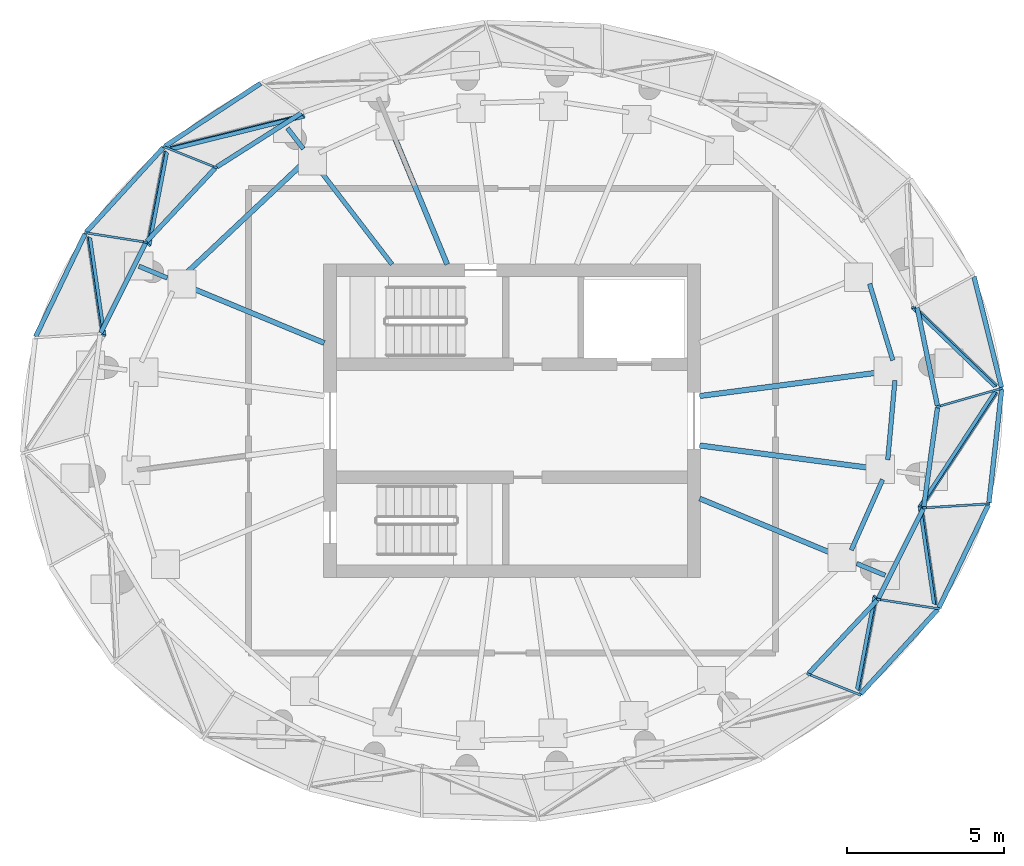
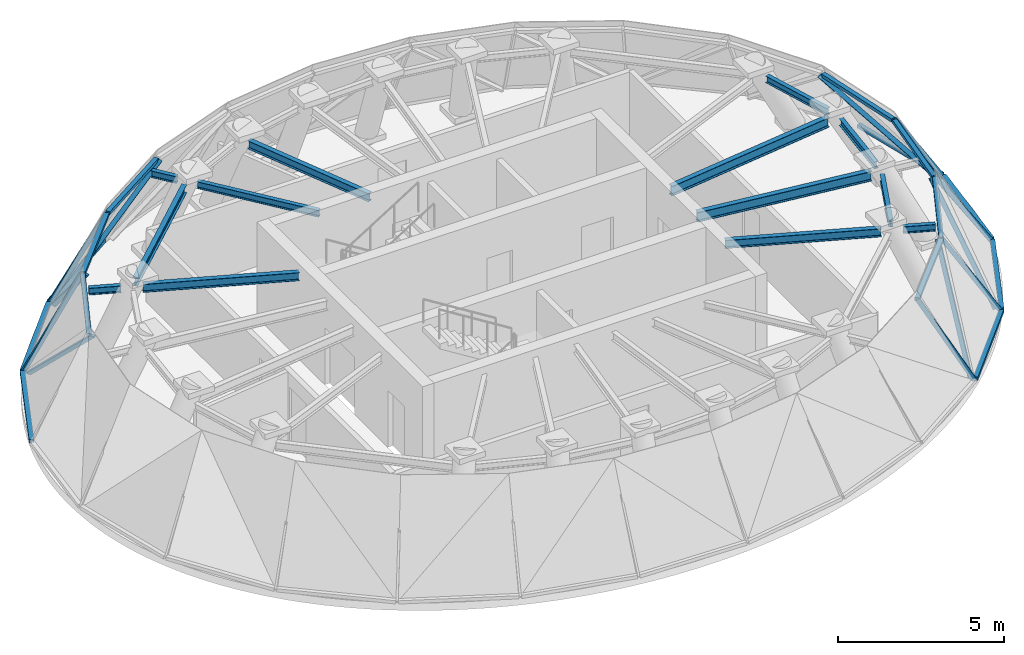
# One storey, part 3 of 8: 27 members, 13 beams, 14 elements without a shape of their own.
"""IFC4 building model written with IfcOpenShell, lengths in metres."""

from ifc_helpers import new_model, si_unit, direction, frame, origin, origin_2d, place, context, subcontext, project, spatial, rectangle, i_section, extrude, source, transform, mapped, material, layer, layer_set, material_profile, profile_set, type_object, element, aggregate, save


model = new_model("IFC4")

# Units and contexts
model_context = context("Model", 3, precision=1e-05, world=origin(), true_north=direction((0.0, 1.0)))
body_context = subcontext(model_context, "Body", "Model", "MODEL_VIEW")
ifc_project = project(units=[si_unit("LENGTHUNIT", "METRE"), si_unit("AREAUNIT", "SQUARE_METRE"), si_unit("VOLUMEUNIT", "CUBIC_METRE"), si_unit("PLANEANGLEUNIT", "RADIAN"), si_unit("MASSUNIT", "GRAM", prefix="KILO")], contexts=[model_context])

# Site, building, storey
site_placement = place(None, origin())
site = spatial("IfcSite", under=ifc_project, at=site_placement, CompositionType="ELEMENT")
building_placement = place(site_placement, origin())
building = spatial("IfcBuilding", under=site, at=building_placement, Name="Spindrift Exchange Tower", CompositionType="ELEMENT")
storey_placement = place(building_placement, frame((0.0, 0.0, 280.10009765625)))
storey = spatial("IfcBuildingStorey", under=building, at=storey_placement, Name="L69", CompositionType="ELEMENT", Elevation=280.10009765625)

# Beams
ifc_material_1 = material(Name="Steel Grade 300", Category="steel")
ifc_material_profile_1 = material_profile(ifc_material_1, i_section(OverallWidth=0.172119140625, OverallDepth=0.35888671875, WebThickness=0.008056640625, FlangeThickness=0.012939453125, FilletRadius=0.013916015625, at=origin_2d()), Name="360UB56.7")
ifc_profile_set_1 = profile_set([ifc_material_profile_1], Name="Steel Grade 300")
beam_type_1 = type_object("IfcBeamType", Name="Floor Beam 360UB56.7 Steel Grade 300", PredefinedType="BEAM", material=ifc_profile_set_1)
shared_shape_1 = source(origin(), body_context, "Body", "SweptSolid", [
    extrude(i_section(OverallWidth=0.172119140625, OverallDepth=0.35888671875, WebThickness=0.008056640625, FlangeThickness=0.012939453125, FilletRadius=0.013916015625, at=origin_2d()), origin(), (0.0, 0.0, 1.0), 5.97705078125),
])
beam_1_placement = place(storey_placement, frame((57.980224609375, 48.787353515625, 3.040283203125), z_axis=(0.991448038251, 0.130502059169, 0.0), x_axis=(-0.130502059169, 0.991448038251, 0.0)))
element("IfcBeam", 1, at=beam_1_placement, inside=storey, type_object=beam_type_1, Name="L69 radial beam R01A", PredefinedType="BEAM", context=body_context, shape_type="MappedRepresentation", body=[
    mapped(shared_shape_1, transform((0.0, 0.0, 0.0), scale=1.0)),
])
ifc_material_profile_2 = material_profile(ifc_material_1, i_section(OverallWidth=0.1650390625, OverallDepth=0.303955078125, WebThickness=0.006103515625, FlangeThickness=0.01025390625, FilletRadius=0.011474609375, at=origin_2d()), Name="310UB40.4")
ifc_profile_set_2 = profile_set([ifc_material_profile_2], Name="Steel Grade 300")
beam_type_2 = type_object("IfcBeamType", Name="Floor Beam 310UB40.4 Steel Grade 300", PredefinedType="BEAM", material=ifc_profile_set_2)
shared_shape_2 = source(origin(), body_context, "Body", "SweptSolid", [
    extrude(i_section(OverallWidth=0.1650390625, OverallDepth=0.303955078125, WebThickness=0.006103515625, FlangeThickness=0.01025390625, FilletRadius=0.011474609375, at=origin_2d()), origin(), (0.0, 0.0, 1.0), 4.599853515625),
])
beam_2_placement = place(storey_placement, frame((49.9365234375, 52.9814453125, 3.06787109375), z_axis=(-0.382673670509, 0.923883575944, 0.0), x_axis=(-0.923883575944, -0.382673670509, 0.0)))
element("IfcBeam", 2, at=beam_2_placement, inside=storey, type_object=beam_type_2, Name="L69 radial beam R08A", PredefinedType="BEAM", context=body_context, shape_type="MappedRepresentation", body=[
    mapped(shared_shape_2, transform((0.0, 0.0, 0.0), scale=1.0)),
])
ifc_material_profile_3 = material_profile(ifc_material_1, i_section(OverallWidth=0.14599609375, OverallDepth=0.251953125, WebThickness=0.006103515625, FlangeThickness=0.008544921875, FilletRadius=0.011962890625, at=origin_2d()), Name="250UB31.4")
ifc_profile_set_3 = profile_set([ifc_material_profile_3], Name="Steel Grade 300")
beam_type_3 = type_object("IfcBeamType", Name="Floor Beam 250UB31.4 Steel Grade 300", PredefinedType="BEAM", material=ifc_profile_set_3)
shared_shape_3 = source(origin(), body_context, "Body", "SweptSolid", [
    extrude(i_section(OverallWidth=0.14599609375, OverallDepth=0.251953125, WebThickness=0.006103515625, FlangeThickness=0.008544921875, FilletRadius=0.011962890625, at=origin_2d()), origin(), (0.0, 0.0, 1.0), 3.979736328125),
])
beam_3_placement = place(storey_placement, frame((48.175537109375, 52.984130859375, 3.093994140625), z_axis=(-0.608797236574, 0.793325862896, 0.0), x_axis=(-0.793325862896, -0.608797236574, 0.0)))
element("IfcBeam", 3, at=beam_3_placement, inside=storey, type_object=beam_type_3, Name="L69 radial beam R09A", PredefinedType="BEAM", context=body_context, shape_type="MappedRepresentation", body=[
    mapped(shared_shape_3, transform((0.0, 0.0, 0.0), scale=1.0)),
])
ifc_material_profile_4 = material_profile(ifc_material_1, i_section(OverallWidth=0.14599609375, OverallDepth=0.251953125, WebThickness=0.006103515625, FlangeThickness=0.008544921875, FilletRadius=0.011962890625, at=origin_2d()), Name="250UB31.4")
ifc_profile_set_4 = profile_set([ifc_material_profile_4], Name="Steel Grade 300")
beam_type_4 = type_object("IfcBeamType", Name="Cantilever Beam 250UB31.4 Steel Grade 300", PredefinedType="BEAM", material=ifc_profile_set_4)
shared_shape_4 = source(origin(), body_context, "Body", "SweptSolid", [
    extrude(i_section(OverallWidth=0.14599609375, OverallDepth=0.251953125, WebThickness=0.006103515625, FlangeThickness=0.008544921875, FilletRadius=0.011962890625, at=origin_2d()), origin(), (0.0, 0.0, 1.0), 0.83447265625),
])
beam_4_placement = place(storey_placement, frame((45.35107421875, 56.6650390625, 3.093994140625), z_axis=(-0.608763124529, 0.79335203927, 0.0), x_axis=(-0.79335203927, -0.608763124529, 0.0)))
element("IfcBeam", 4, at=beam_4_placement, inside=storey, type_object=beam_type_4, Name="L69 cantilever beam R09T", PredefinedType="BEAM", context=body_context, shape_type="MappedRepresentation", body=[
    mapped(shared_shape_4, transform((0.0, 0.0, 0.0), scale=1.0)),
])
shared_shape_5 = source(origin(), body_context, "Body", "SweptSolid", [
    extrude(i_section(OverallWidth=0.1650390625, OverallDepth=0.303955078125, WebThickness=0.006103515625, FlangeThickness=0.01025390625, FilletRadius=0.011474609375, at=origin_2d()), origin(), (0.0, 0.0, 1.0), 4.755615234375),
])
for number, where, z_axis, x_axis, name in (
    (5, (46.0185546875, 50.4775390625, 3.06787109375), (-0.923864780381, 0.382719045218, 0.0), (-0.382719045218, -0.923864780381, 0.0), "L69 radial beam R11A"),
    (6, (57.9814453125, 45.5224609375, 3.06787109375), (0.923864780381, -0.382719045218, 0.0), (0.382719045218, 0.923864780381, 0.0), "L69 radial beam R23A"),
):
    element("IfcBeam", number, at=place(storey_placement, frame(where, z_axis=z_axis, x_axis=x_axis)), inside=storey, type_object=beam_type_2, Name=name, PredefinedType="BEAM", context=body_context, shape_type="MappedRepresentation", body=[
        mapped(shared_shape_5, transform((0.0, 0.0, 0.0), scale=1.0)),
    ])
shared_shape_6 = source(origin(), body_context, "Body", "SweptSolid", [
    extrude(i_section(OverallWidth=0.14599609375, OverallDepth=0.251953125, WebThickness=0.006103515625, FlangeThickness=0.008544921875, FilletRadius=0.011962890625, at=origin_2d()), origin(), (0.0, 0.0, 1.0), 0.983642578125),
])
for number, where, z_axis, x_axis, name in (
    (7, (41.015380859375, 52.550048828125, 3.093994140625), (-0.923853455935, 0.382746380723, 0.0), (-0.382746380723, -0.923853455935, 0.0), "L69 cantilever beam R11T"),
    (8, (62.984619140625, 43.449951171875, 3.093994140625), (0.923853455935, -0.382746380723, 0.0), (0.382746380723, 0.923853455935, 0.0), "L69 cantilever beam R23T"),
):
    element("IfcBeam", number, at=place(storey_placement, frame(where, z_axis=z_axis, x_axis=x_axis)), inside=storey, type_object=beam_type_4, Name=name, PredefinedType="BEAM", context=body_context, shape_type="MappedRepresentation", body=[
        mapped(shared_shape_6, transform((0.0, 0.0, 0.0), scale=1.0)),
    ])
shared_shape_7 = source(origin(), body_context, "Body", "SweptSolid", [
    extrude(i_section(OverallWidth=0.172119140625, OverallDepth=0.35888671875, WebThickness=0.008056640625, FlangeThickness=0.012939453125, FilletRadius=0.013916015625, at=origin_2d()), origin(), (0.0, 0.0, 1.0), 5.6865234375),
])
beam_5_placement = place(storey_placement, frame((57.980224609375, 47.212646484375, 3.040283203125), z_axis=(0.991446256555, -0.130515594333, 0.0), x_axis=(0.130515594333, 0.991446256555, 0.0)))
element("IfcBeam", 9, at=beam_5_placement, inside=storey, type_object=beam_type_1, Name="L69 radial beam R24A", PredefinedType="BEAM", context=body_context, shape_type="MappedRepresentation", body=[
    mapped(shared_shape_7, transform((0.0, 0.0, 0.0), scale=1.0)),
])
ifc_material_profile_5 = material_profile(ifc_material_1, i_section(OverallWidth=0.14599609375, OverallDepth=0.251953125, WebThickness=0.006103515625, FlangeThickness=0.008544921875, FilletRadius=0.011962890625, at=origin_2d()), Name="250UB31.4")
ifc_profile_set_5 = profile_set([ifc_material_profile_5], Name="Steel Grade 300")
beam_type_5 = type_object("IfcBeamType", Name="Edge Beam 250UB31.4 Steel Grade 300", PredefinedType="SPANDREL", material=ifc_profile_set_5)
shared_shape_8 = source(origin(), body_context, "Body", "SweptSolid", [
    extrude(i_section(OverallWidth=0.14599609375, OverallDepth=0.251953125, WebThickness=0.006103515625, FlangeThickness=0.008544921875, FilletRadius=0.011962890625, at=origin_2d()), origin(), (0.0, 0.0, 1.0), 2.548828125),
])
beam_6_placement = place(storey_placement, frame((64.137451171875, 49.92626953125, 3.093994140625), z_axis=(-0.290913845014, 0.956749253869, 0.0), x_axis=(-0.956749253869, -0.290913845014, 0.0)))
element("IfcBeam", 10, at=beam_6_placement, inside=storey, type_object=beam_type_5, Name="L69 edge beam E01", PredefinedType="SPANDREL", context=body_context, shape_type="MappedRepresentation", body=[
    mapped(shared_shape_8, transform((0.0, 0.0, 0.0), scale=1.0)),
])
ifc_material_profile_6 = material_profile(ifc_material_1, i_section(OverallWidth=0.1650390625, OverallDepth=0.303955078125, WebThickness=0.006103515625, FlangeThickness=0.01025390625, FilletRadius=0.011474609375, at=origin_2d()), Name="310UB40.4")
ifc_profile_set_6 = profile_set([ifc_material_profile_6], Name="Steel Grade 300")
beam_type_6 = type_object("IfcBeamType", Name="Edge Beam 310UB40.4 Steel Grade 300", PredefinedType="SPANDREL", material=ifc_profile_set_6)
shared_shape_9 = source(origin(), body_context, "Body", "SweptSolid", [
    extrude(i_section(OverallWidth=0.1650390625, OverallDepth=0.303955078125, WebThickness=0.006103515625, FlangeThickness=0.01025390625, FilletRadius=0.011474609375, at=origin_2d()), origin(), (0.0, 0.0, 1.0), 5.14892578125),
])
beam_7_placement = place(storey_placement, frame((45.3115234375, 56.17724609375, 3.06787109375), z_axis=(-0.72848946586, -0.685057003563, 0.0), x_axis=(0.685057003563, -0.72848946586, 0.0)))
element("IfcBeam", 11, at=beam_7_placement, inside=storey, type_object=beam_type_6, Name="L69 edge beam E09", PredefinedType="SPANDREL", context=body_context, shape_type="MappedRepresentation", body=[
    mapped(shared_shape_9, transform((0.0, 0.0, 0.0), scale=1.0)),
])
shared_shape_10 = source(origin(), body_context, "Body", "SweptSolid", [
    extrude(i_section(OverallWidth=0.14599609375, OverallDepth=0.251953125, WebThickness=0.006103515625, FlangeThickness=0.008544921875, FilletRadius=0.011962890625, at=origin_2d()), origin(), (0.0, 0.0, 1.0), 2.459228515625),
])
beam_8_placement = place(storey_placement, frame((62.813720703125, 43.8779296875, 3.093994140625), z_axis=(0.405723938831, 0.913995670373, 0.0), x_axis=(-0.913995670373, 0.405723938831, 0.0)))
element("IfcBeam", 12, at=beam_8_placement, inside=storey, type_object=beam_type_5, Name="L69 edge beam E23", PredefinedType="SPANDREL", context=body_context, shape_type="MappedRepresentation", body=[
    mapped(shared_shape_10, transform((0.0, 0.0, 0.0), scale=1.0)),
])
shared_shape_11 = source(origin(), body_context, "Body", "SweptSolid", [
    extrude(i_section(OverallWidth=0.14599609375, OverallDepth=0.251953125, WebThickness=0.006103515625, FlangeThickness=0.008544921875, FilletRadius=0.011962890625, at=origin_2d()), origin(), (0.0, 0.0, 1.0), 2.5361328125),
])
beam_9_placement = place(storey_placement, frame((63.97509765625, 46.756103515625, 3.093994140625), z_axis=(0.090101766838, 0.995932563788, 0.0), x_axis=(-0.995932563788, 0.090101766838, 0.0)))
element("IfcBeam", 13, at=beam_9_placement, inside=storey, type_object=beam_type_5, Name="L69 edge beam E24", PredefinedType="SPANDREL", context=body_context, shape_type="MappedRepresentation", body=[
    mapped(shared_shape_11, transform((0.0, 0.0, 0.0), scale=1.0)),
])

# Curtain wall, member
ifc_material_2 = material(Name="Fritted laminated glass with bronze frame", Category="glass")
ifc_layer = layer(ifc_material_2, 0.14990234375)
ifc_layer_set = layer_set([ifc_layer], Name="CROWN BRONZE RAKED GLAZED WALL")
curtain_wall_type = type_object("IfcCurtainWallType", Name="CROWN BRONZE RAKED GLAZED WALL", PredefinedType="NOTDEFINED", material=ifc_layer_set)
curtain_wall_1_placement = place(storey_placement, origin())
curtain_wall_1 = element("IfcCurtainWall", 14, at=curtain_wall_1_placement, inside=storey, type_object=curtain_wall_type, Name="L69 Crown Bronze Raked Glazed Wall facet 1", PredefinedType="NOTDEFINED")
ifc_material_3 = material(Name="Bronze anodised aluminium", Category="aluminium")
ifc_material_profile_7 = material_profile(ifc_material_3, rectangle(XDim=0.14990234375, YDim=0.1201171875, at=origin_2d()), Name="CROWN BRONZE RAKED GLAZED WALL TRANSOM 150X120")
ifc_profile_set_7 = profile_set([ifc_material_profile_7], Name="Bronze anodised aluminium")
member_type_1 = type_object("IfcMemberType", Name="CROWN BRONZE RAKED GLAZED WALL TRANSOM 150X120", PredefinedType="USERDEFINED", material=ifc_profile_set_7)
shared_shape_12 = source(origin(), body_context, "Body", "SweptSolid", [
    extrude(rectangle(XDim=0.14990234375, YDim=0.1201171875, at=origin_2d()), origin(), (0.0, 0.0, 1.0), 3.63427734375),
])
member_1_placement = place(storey_placement, frame((67.601318359375, 49.06640625, 0.059814453125), z_axis=(-0.241571306487, 0.97038307069, 0.0), x_axis=(-0.97038307069, -0.241571306487, 0.0)))
member_1 = element("IfcMember", 15, at=member_1_placement, type_object=member_type_1, Name="L69 transom CW-R.1a", ObjectType="TRANSOM", PredefinedType="USERDEFINED", context=body_context, shape_type="MappedRepresentation", body=[
    mapped(shared_shape_12, transform((0.0, 0.0, 0.0), scale=1.0)),
])

curtain_wall_2_placement = place(storey_placement, origin())
curtain_wall_2 = element("IfcCurtainWall", 16, at=curtain_wall_2_placement, inside=storey, type_object=curtain_wall_type, Name="L69 Crown Bronze Raked Glazed Wall facet 47", PredefinedType="NOTDEFINED")
member_2_placement = place(storey_placement, frame((67.605712890625, 48.997802734375, 0.059814453125), z_axis=(-0.111648000541, -0.993747817092, 0.0), x_axis=(0.993747817092, -0.111648000541, 0.0)))
member_2 = element("IfcMember", 17, at=member_2_placement, type_object=member_type_1, Name="L69 transom CW-R.24a", ObjectType="TRANSOM", PredefinedType="USERDEFINED", context=body_context, shape_type="MappedRepresentation", body=[
    mapped(shared_shape_12, transform((0.0, 0.0, 0.0), scale=1.0)),
])

curtain_wall_3_placement = place(storey_placement, origin())
curtain_wall_3 = element("IfcCurtainWall", 18, at=curtain_wall_3_placement, inside=storey, type_object=curtain_wall_type, Name="L69 Crown Bronze Raked Glazed Wall facet 21", PredefinedType="NOTDEFINED")
shared_shape_13 = source(origin(), body_context, "Body", "SweptSolid", [
    extrude(rectangle(XDim=0.14990234375, YDim=0.1201171875, at=origin_2d()), origin(), (0.0, 0.0, 1.0), 3.637939453125),
])
member_3_placement = place(storey_placement, frame((38.394775390625, 53.958984375, 0.059814453125), z_axis=(-0.433119367605, -0.901336570547, 0.0), x_axis=(0.901336570547, -0.433119367605, 0.0)))
member_3 = element("IfcMember", 19, at=member_3_placement, type_object=member_type_1, Name="L69 transom CW-R.11a", ObjectType="TRANSOM", PredefinedType="USERDEFINED", context=body_context, shape_type="MappedRepresentation", body=[
    mapped(shared_shape_13, transform((0.0, 0.0, 0.0), scale=1.0)),
])

curtain_wall_4_placement = place(storey_placement, origin())
curtain_wall_4 = element("IfcCurtainWall", 20, at=curtain_wall_4_placement, inside=storey, type_object=curtain_wall_type, Name="L69 Crown Bronze Raked Glazed Wall facet 45", PredefinedType="NOTDEFINED")
member_4_placement = place(storey_placement, frame((65.605224609375, 42.041015625, 0.059814453125), z_axis=(0.433119367605, 0.901336570547, 0.0), x_axis=(-0.901336570547, 0.433119367605, 0.0)))
member_4 = element("IfcMember", 21, at=member_4_placement, type_object=member_type_1, Name="L69 transom CW-R.23a", ObjectType="TRANSOM", PredefinedType="USERDEFINED", context=body_context, shape_type="MappedRepresentation", body=[
    mapped(shared_shape_13, transform((0.0, 0.0, 0.0), scale=1.0)),
])

curtain_wall_5_placement = place(storey_placement, origin())
curtain_wall_5 = element("IfcCurtainWall", 22, at=curtain_wall_5_placement, inside=storey, type_object=curtain_wall_type, Name="L69 Crown Bronze Raked Glazed Wall facet 19", PredefinedType="NOTDEFINED")
shared_shape_14 = source(origin(), body_context, "Body", "SweptSolid", [
    extrude(rectangle(XDim=0.14990234375, YDim=0.1201171875, at=origin_2d()), origin(), (0.0, 0.0, 1.0), 3.642333984375),
])
member_5_placement = place(storey_placement, frame((40.89013671875, 56.70556640625, 0.059814453125), z_axis=(-0.674445762336, -0.738324395958, 0.0), x_axis=(0.738324395958, -0.674445762336, 0.0)))
member_5 = element("IfcMember", 23, at=member_5_placement, type_object=member_type_1, Name="L69 transom CW-R.10a", ObjectType="TRANSOM", PredefinedType="USERDEFINED", context=body_context, shape_type="MappedRepresentation", body=[
    mapped(shared_shape_14, transform((0.0, 0.0, 0.0), scale=1.0)),
])

curtain_wall_6_placement = place(storey_placement, origin())
curtain_wall_6 = element("IfcCurtainWall", 24, at=curtain_wall_6_placement, inside=storey, type_object=curtain_wall_type, Name="L69 Crown Bronze Raked Glazed Wall facet 43", PredefinedType="NOTDEFINED")
member_6_placement = place(storey_placement, frame((63.10986328125, 39.29443359375, 0.059814453125), z_axis=(0.674445762336, 0.738324395958, 0.0), x_axis=(-0.738324395958, 0.674445762336, 0.0)))
member_6 = element("IfcMember", 25, at=member_6_placement, type_object=member_type_1, Name="L69 transom CW-R.22a", ObjectType="TRANSOM", PredefinedType="USERDEFINED", context=body_context, shape_type="MappedRepresentation", body=[
    mapped(shared_shape_14, transform((0.0, 0.0, 0.0), scale=1.0)),
])

curtain_wall_7_placement = place(storey_placement, origin())
curtain_wall_7 = element("IfcCurtainWall", 26, at=curtain_wall_7_placement, inside=storey, type_object=curtain_wall_type, Name="L69 Crown Bronze Raked Glazed Wall facet 17", PredefinedType="NOTDEFINED")
shared_shape_15 = source(origin(), body_context, "Body", "SweptSolid", [
    extrude(rectangle(XDim=0.14990234375, YDim=0.1201171875, at=origin_2d()), origin(), (0.0, 0.0, 1.0), 3.645263671875),
])
member_7_placement = place(storey_placement, frame((40.94287109375, 56.75048828125, 0.059814453125), z_axis=(0.835618526888, 0.54931018334, 0.0), x_axis=(-0.54931018334, 0.835618526888, 0.0)))
member_7 = element("IfcMember", 27, at=member_7_placement, type_object=member_type_1, Name="L69 transom CW-R.9a", ObjectType="TRANSOM", PredefinedType="USERDEFINED", context=body_context, shape_type="MappedRepresentation", body=[
    mapped(shared_shape_15, transform((0.0, 0.0, 0.0), scale=1.0)),
])
aggregate(curtain_wall_7, [member_7])

# Curtain wall, members
curtain_wall_8_placement = place(storey_placement, origin())
curtain_wall_8 = element("IfcCurtainWall", 28, at=curtain_wall_8_placement, inside=storey, type_object=curtain_wall_type, Name="L69 Crown Bronze Raked Glazed Wall facet 2", PredefinedType="NOTDEFINED")
shared_shape_16 = source(origin(), body_context, "Body", "SweptSolid", [
    extrude(rectangle(XDim=0.14990234375, YDim=0.1201171875, at=origin_2d()), origin(), (0.0, 0.0, 1.0), 3.1845703125),
])
member_8_placement = place(storey_placement, frame((65.557373046875, 48.483154296875, 3.159912109375), z_axis=(-0.20208335851, 0.979368325102, 0.0), x_axis=(-0.979368325102, -0.20208335851, 0.0)))
member_8 = element("IfcMember", 29, at=member_8_placement, type_object=member_type_1, Name="L69 transom CW-R.1b", ObjectType="TRANSOM", PredefinedType="USERDEFINED", context=body_context, shape_type="MappedRepresentation", body=[
    mapped(shared_shape_16, transform((0.0, 0.0, 0.0), scale=1.0)),
])
ifc_material_profile_8 = material_profile(ifc_material_3, rectangle(XDim=0.070068359375, YDim=0.14990234375, at=origin_2d()), Name="CROWN BRONZE RAKED GLAZED WALL MULLION 70X150")
ifc_profile_set_8 = profile_set([ifc_material_profile_8], Name="Bronze anodised aluminium")
member_type_2 = type_object("IfcMemberType", Name="CROWN BRONZE RAKED GLAZED WALL MULLION 70X150", PredefinedType="MULLION", material=ifc_profile_set_8)
shared_shape_17 = source(origin(), body_context, "Body", "SweptSolid", [
    extrude(rectangle(XDim=0.070068359375, YDim=0.14990234375, at=origin_2d()), origin(), (0.0, 0.0, 1.0), 3.760009765625),
])
member_9_placement = place(storey_placement, frame((67.58349609375, 49.02490234375, 0.041259765625), z_axis=(-0.529965715125, -0.151223983157, 0.834426538235), x_axis=(0.274394338312, -0.961617256034, 0.0)))
member_9 = element("IfcMember", 30, at=member_9_placement, type_object=member_type_2, Name="L69 mullion CW-R.1", PredefinedType="MULLION", context=body_context, shape_type="MappedRepresentation", body=[
    mapped(shared_shape_17, transform((0.0, 0.0, 0.0), scale=1.0)),
])
aggregate(curtain_wall_8, [member_8, member_9])

# Member
shared_shape_18 = source(origin(), body_context, "Body", "SweptSolid", [
    extrude(rectangle(XDim=0.070068359375, YDim=0.14990234375, at=origin_2d()), origin(), (0.0, 0.0, 1.0), 4.7705078125),
])
member_10_placement = place(storey_placement, frame((67.401123046875, 49.106201171875, 0.056884765625), z_axis=(-0.546578973874, 0.526568451516, 0.651135232641), x_axis=(-0.142274684308, -0.82464926191, 0.547459139148)))
member_10 = element("IfcMember", 31, at=member_10_placement, type_object=member_type_2, Name="L69 glazing bar CW-R.1", PredefinedType="MULLION", context=body_context, shape_type="MappedRepresentation", body=[
    mapped(shared_shape_18, transform((0.0, 0.0, 0.0), scale=1.0)),
])

aggregate(curtain_wall_1, [member_1, member_10])

# Curtain wall, member
curtain_wall_9_placement = place(storey_placement, origin())
curtain_wall_9 = element("IfcCurtainWall", 32, at=curtain_wall_9_placement, inside=storey, type_object=curtain_wall_type, Name="L69 Crown Bronze Raked Glazed Wall facet 22", PredefinedType="NOTDEFINED")
shared_shape_19 = source(origin(), body_context, "Body", "SweptSolid", [
    extrude(rectangle(XDim=0.14990234375, YDim=0.1201171875, at=origin_2d()), origin(), (0.0, 0.0, 1.0), 3.1875),
])
member_11_placement = place(storey_placement, frame((40.319091796875, 53.6591796875, 3.159912109375), z_axis=(-0.446232931799, -0.894916851209, 0.0), x_axis=(0.894916851209, -0.446232931799, 0.0)))
member_11 = element("IfcMember", 33, at=member_11_placement, type_object=member_type_1, Name="L69 transom CW-R.11b", ObjectType="TRANSOM", PredefinedType="USERDEFINED", context=body_context, shape_type="MappedRepresentation", body=[
    mapped(shared_shape_19, transform((0.0, 0.0, 0.0), scale=1.0)),
])

curtain_wall_10_placement = place(storey_placement, origin())
curtain_wall_10 = element("IfcCurtainWall", 34, at=curtain_wall_10_placement, inside=storey, type_object=curtain_wall_type, Name="L69 Crown Bronze Raked Glazed Wall facet 46", PredefinedType="NOTDEFINED")
member_12_placement = place(storey_placement, frame((63.680908203125, 42.3408203125, 3.159912109375), z_axis=(0.446232931799, 0.894916851209, 0.0), x_axis=(-0.894916851209, 0.446232931799, 0.0)))
member_12 = element("IfcMember", 35, at=member_12_placement, type_object=member_type_1, Name="L69 transom CW-R.23b", ObjectType="TRANSOM", PredefinedType="USERDEFINED", context=body_context, shape_type="MappedRepresentation", body=[
    mapped(shared_shape_19, transform((0.0, 0.0, 0.0), scale=1.0)),
])

curtain_wall_11_placement = place(storey_placement, origin())
curtain_wall_11 = element("IfcCurtainWall", 36, at=curtain_wall_11_placement, inside=storey, type_object=curtain_wall_type, Name="L69 Crown Bronze Raked Glazed Wall facet 20", PredefinedType="NOTDEFINED")
shared_shape_20 = source(origin(), body_context, "Body", "SweptSolid", [
    extrude(rectangle(XDim=0.14990234375, YDim=0.1201171875, at=origin_2d()), origin(), (0.0, 0.0, 1.0), 3.1904296875),
])
member_13_placement = place(storey_placement, frame((42.53759765625, 56.04638671875, 3.159912109375), z_axis=(-0.68302679433, -0.730393317486, 0.0), x_axis=(0.730393317486, -0.68302679433, 0.0)))
member_13 = element("IfcMember", 37, at=member_13_placement, type_object=member_type_1, Name="L69 transom CW-R.10b", ObjectType="TRANSOM", PredefinedType="USERDEFINED", context=body_context, shape_type="MappedRepresentation", body=[
    mapped(shared_shape_20, transform((0.0, 0.0, 0.0), scale=1.0)),
])

curtain_wall_12_placement = place(storey_placement, origin())
curtain_wall_12 = element("IfcCurtainWall", 38, at=curtain_wall_12_placement, inside=storey, type_object=curtain_wall_type, Name="L69 Crown Bronze Raked Glazed Wall facet 44", PredefinedType="NOTDEFINED")
member_14_placement = place(storey_placement, frame((61.46240234375, 39.95361328125, 3.159912109375), z_axis=(0.68302679433, 0.730393317486, 0.0), x_axis=(-0.730393317486, 0.68302679433, 0.0)))
member_14 = element("IfcMember", 39, at=member_14_placement, type_object=member_type_1, Name="L69 transom CW-R.22b", ObjectType="TRANSOM", PredefinedType="USERDEFINED", context=body_context, shape_type="MappedRepresentation", body=[
    mapped(shared_shape_20, transform((0.0, 0.0, 0.0), scale=1.0)),
])

# Curtain wall, members
curtain_wall_13_placement = place(storey_placement, origin())
curtain_wall_13 = element("IfcCurtainWall", 40, at=curtain_wall_13_placement, inside=storey, type_object=curtain_wall_type, Name="L69 Crown Bronze Raked Glazed Wall facet 18", PredefinedType="NOTDEFINED")
shared_shape_21 = source(origin(), body_context, "Body", "SweptSolid", [
    extrude(rectangle(XDim=0.14990234375, YDim=0.1201171875, at=origin_2d()), origin(), (0.0, 0.0, 1.0), 3.19287109375),
])
member_15_placement = place(storey_placement, frame((42.591064453125, 56.0908203125, 3.159912109375), z_axis=(0.843661487732, 0.536875492193, 0.0), x_axis=(-0.536875492193, 0.843661487732, 0.0)))
member_15 = element("IfcMember", 41, at=member_15_placement, type_object=member_type_1, Name="L69 transom CW-R.9b", ObjectType="TRANSOM", PredefinedType="USERDEFINED", context=body_context, shape_type="MappedRepresentation", body=[
    mapped(shared_shape_21, transform((0.0, 0.0, 0.0), scale=1.0)),
])
shared_shape_22 = source(origin(), body_context, "Body", "SweptSolid", [
    extrude(rectangle(XDim=0.070068359375, YDim=0.14990234375, at=origin_2d()), origin(), (0.0, 0.0, 1.0), 5.349853515625),
])
member_16_placement = place(storey_placement, frame((41.128173828125, 56.67041015625, 0.06103515625), z_axis=(0.79130632228, 0.196411903754, 0.579013530397), x_axis=(0.372039472427, 0.596829614989, -0.710901569578)))
member_16 = element("IfcMember", 42, at=member_16_placement, type_object=member_type_2, Name="L69 glazing bar CW-R.9", PredefinedType="MULLION", context=body_context, shape_type="MappedRepresentation", body=[
    mapped(shared_shape_22, transform((0.0, 0.0, 0.0), scale=1.0)),
])
aggregate(curtain_wall_13, [member_15, member_16])

# Member
shared_shape_23 = source(origin(), body_context, "Body", "SweptSolid", [
    extrude(rectangle(XDim=0.070068359375, YDim=0.14990234375, at=origin_2d()), origin(), (0.0, 0.0, 1.0), 3.593994140625),
])
member_17_placement = place(storey_placement, frame((40.93212890625, 56.723876953125, 0.0361328125), z_axis=(0.448204253263, -0.179336045561, 0.875757689158), x_axis=(0.371487719184, 0.92843786787, 0.0)))
member_17 = element("IfcMember", 43, at=member_17_placement, type_object=member_type_2, Name="L69 mullion CW-R.10", PredefinedType="MULLION", context=body_context, shape_type="MappedRepresentation", body=[
    mapped(shared_shape_23, transform((0.0, 0.0, 0.0), scale=1.0)),
])

aggregate(curtain_wall_11, [member_13, member_17])

member_18_placement = place(storey_placement, frame((63.06787109375, 39.276123046875, 0.0361328125), z_axis=(-0.448204253263, 0.179336045561, 0.875757689158), x_axis=(-0.371487719184, -0.92843786787, 0.0)))
member_18 = element("IfcMember", 44, at=member_18_placement, type_object=member_type_2, Name="L69 mullion CW-R.22", PredefinedType="MULLION", context=body_context, shape_type="MappedRepresentation", body=[
    mapped(shared_shape_23, transform((0.0, 0.0, 0.0), scale=1.0)),
])

aggregate(curtain_wall_12, [member_14, member_18])

shared_shape_24 = source(origin(), body_context, "Body", "SweptSolid", [
    extrude(rectangle(XDim=0.070068359375, YDim=0.14990234375, at=origin_2d()), origin(), (0.0, 0.0, 1.0), 4.322265625),
])
member_19_placement = place(storey_placement, frame((40.97900390625, 56.55322265625, 0.052001953125), z_axis=(-0.129630814448, -0.680801832915, 0.720905483572), x_axis=(0.73204556511, 0.424679124209, 0.532688400534)))
member_19 = element("IfcMember", 45, at=member_19_placement, type_object=member_type_2, Name="L69 glazing bar CW-R.10", PredefinedType="MULLION", context=body_context, shape_type="MappedRepresentation", body=[
    mapped(shared_shape_24, transform((0.0, 0.0, 0.0), scale=1.0)),
])

aggregate(curtain_wall_5, [member_5, member_19])

member_20_placement = place(storey_placement, frame((63.02099609375, 39.44677734375, 0.052001953125), z_axis=(0.129630814448, 0.680801832915, 0.720905483572), x_axis=(-0.73204556511, -0.424679124209, 0.532688400534)))
member_20 = element("IfcMember", 46, at=member_20_placement, type_object=member_type_2, Name="L69 glazing bar CW-R.22", PredefinedType="MULLION", context=body_context, shape_type="MappedRepresentation", body=[
    mapped(shared_shape_24, transform((0.0, 0.0, 0.0), scale=1.0)),
])

aggregate(curtain_wall_6, [member_6, member_20])

shared_shape_25 = source(origin(), body_context, "Body", "SweptSolid", [
    extrude(rectangle(XDim=0.070068359375, YDim=0.14990234375, at=origin_2d()), origin(), (0.0, 0.0, 1.0), 3.672607421875),
])
member_21_placement = place(storey_placement, frame((38.43310546875, 53.98681640625, 0.038818359375), z_axis=(0.511411225942, -0.079706494203, 0.85563159874), x_axis=(0.153996820551, 0.988071343204, 0.0)))
member_21 = element("IfcMember", 47, at=member_21_placement, type_object=member_type_2, Name="L69 mullion CW-R.11", PredefinedType="MULLION", context=body_context, shape_type="MappedRepresentation", body=[
    mapped(shared_shape_25, transform((0.0, 0.0, 0.0), scale=1.0)),
])

aggregate(curtain_wall_9, [member_11, member_21])

member_22_placement = place(storey_placement, frame((65.56689453125, 42.01318359375, 0.038818359375), z_axis=(-0.511411225942, 0.079706494203, 0.85563159874), x_axis=(-0.153996820551, -0.988071343204, 0.0)))
member_22 = element("IfcMember", 48, at=member_22_placement, type_object=member_type_2, Name="L69 mullion CW-R.23", PredefinedType="MULLION", context=body_context, shape_type="MappedRepresentation", body=[
    mapped(shared_shape_25, transform((0.0, 0.0, 0.0), scale=1.0)),
])

aggregate(curtain_wall_10, [member_12, member_22])

shared_shape_26 = source(origin(), body_context, "Body", "SweptSolid", [
    extrude(rectangle(XDim=0.070068359375, YDim=0.14990234375, at=origin_2d()), origin(), (0.0, 0.0, 1.0), 4.423095703125),
])
member_23_placement = place(storey_placement, frame((38.52734375, 53.828857421875, 0.05322265625), z_axis=(0.102997332451, -0.70282156168, 0.703870301935), x_axis=(0.60085956007, 0.607896100078, 0.519066585885)))
member_23 = element("IfcMember", 49, at=member_23_placement, type_object=member_type_2, Name="L69 glazing bar CW-R.11", PredefinedType="MULLION", context=body_context, shape_type="MappedRepresentation", body=[
    mapped(shared_shape_26, transform((0.0, 0.0, 0.0), scale=1.0)),
])

aggregate(curtain_wall_3, [member_3, member_23])

member_24_placement = place(storey_placement, frame((65.47265625, 42.171142578125, 0.05322265625), z_axis=(-0.102997332451, 0.70282156168, 0.703870301935), x_axis=(-0.60085956007, -0.607896100078, 0.519066585885)))
member_24 = element("IfcMember", 50, at=member_24_placement, type_object=member_type_2, Name="L69 glazing bar CW-R.23", PredefinedType="MULLION", context=body_context, shape_type="MappedRepresentation", body=[
    mapped(shared_shape_26, transform((0.0, 0.0, 0.0), scale=1.0)),
])

aggregate(curtain_wall_4, [member_4, member_24])

# Curtain wall, member
curtain_wall_14_placement = place(storey_placement, origin())
curtain_wall_14 = element("IfcCurtainWall", 51, at=curtain_wall_14_placement, inside=storey, type_object=curtain_wall_type, Name="L69 Crown Bronze Raked Glazed Wall facet 48", PredefinedType="NOTDEFINED")
shared_shape_27 = source(origin(), body_context, "Body", "SweptSolid", [
    extrude(rectangle(XDim=0.14990234375, YDim=0.1201171875, at=origin_2d()), origin(), (0.0, 0.0, 1.0), 3.184814453125),
])
member_25_placement = place(storey_placement, frame((65.559814453125, 48.4140625, 3.159912109375), z_axis=(-0.136912361198, -0.990583164278, 0.0), x_axis=(0.990583164278, -0.136912361198, 0.0)))
member_25 = element("IfcMember", 52, at=member_25_placement, type_object=member_type_1, Name="L69 transom CW-R.24b", ObjectType="TRANSOM", PredefinedType="USERDEFINED", context=body_context, shape_type="MappedRepresentation", body=[
    mapped(shared_shape_27, transform((0.0, 0.0, 0.0), scale=1.0)),
])

# Member
shared_shape_28 = source(origin(), body_context, "Body", "SweptSolid", [
    extrude(rectangle(XDim=0.070068359375, YDim=0.14990234375, at=origin_2d()), origin(), (0.0, 0.0, 1.0), 3.737060546875),
])
member_26_placement = place(storey_placement, frame((67.169921875, 45.349853515625, 0.04052734375), z_axis=(-0.54177552903, -0.033056604086, 0.839872929121), x_axis=(0.060902054264, -0.998143747056, 0.0)))
member_26 = element("IfcMember", 53, at=member_26_placement, type_object=member_type_2, Name="L69 mullion CW-R.24", PredefinedType="MULLION", context=body_context, shape_type="MappedRepresentation", body=[
    mapped(shared_shape_28, transform((0.0, 0.0, 0.0), scale=1.0)),
])

aggregate(curtain_wall_2, [member_2, member_26])

shared_shape_29 = source(origin(), body_context, "Body", "SweptSolid", [
    extrude(rectangle(XDim=0.070068359375, YDim=0.14990234375, at=origin_2d()), origin(), (0.0, 0.0, 1.0), 5.362548828125),
])
member_27_placement = place(storey_placement, frame((67.404296875, 48.8994140625, 0.06103515625), z_axis=(-0.446857278634, -0.683102048765, 0.577659210526), x_axis=(0.276315744167, -0.719531098684, -0.637122129228)))
member_27 = element("IfcMember", 54, at=member_27_placement, type_object=member_type_2, Name="L69 glazing bar CW-R.24", PredefinedType="MULLION", context=body_context, shape_type="MappedRepresentation", body=[
    mapped(shared_shape_29, transform((0.0, 0.0, 0.0), scale=1.0)),
])

aggregate(curtain_wall_14, [member_25, member_27])

save(model, "model.ifc")
